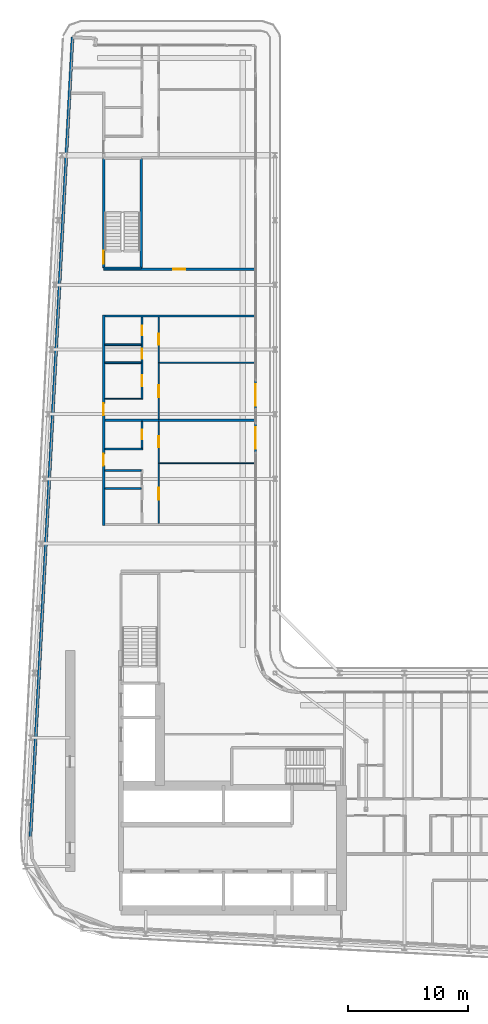
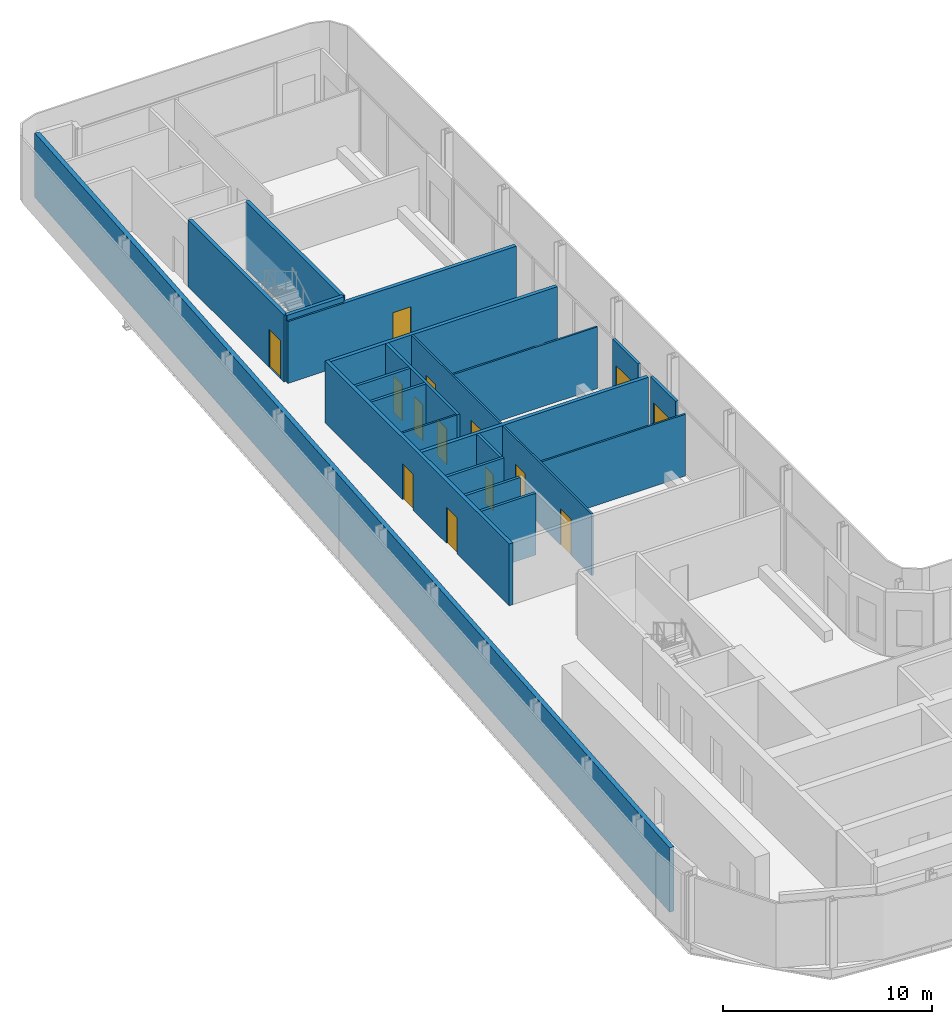
# One storey, part 20 of 30: 22 walls, 14 doors, 14 openings.
"""IFC4 building model written with IfcOpenShell, lengths in metres."""

from ifc_helpers import new_model, si_unit, direction, frame, frame_2d, origin, place, context, subcontext, project, spatial, rectangle, extrude, source, transform, mapped, material, layer, layer_set, type_object, element, fill, save


model = new_model("IFC4")

# Units and contexts
model_context = context("Model", 3, precision=1e-05, world=origin(), true_north=direction((0.0, 1.0)))
body_context = subcontext(model_context, "Body", "Model", "MODEL_VIEW")
ifc_project = project(units=[si_unit("LENGTHUNIT", "METRE"), si_unit("AREAUNIT", "SQUARE_METRE"), si_unit("VOLUMEUNIT", "CUBIC_METRE"), si_unit("PLANEANGLEUNIT", "RADIAN"), si_unit("MASSUNIT", "GRAM", prefix="KILO")], contexts=[model_context])

# Site, building, storey
site_placement = place(None, origin())
site = spatial("IfcSite", under=ifc_project, at=site_placement, CompositionType="ELEMENT")
building_placement = place(site_placement, origin())
building = spatial("IfcBuilding", under=site, at=building_placement, Name="Kheshtan School and Residences Tower", CompositionType="ELEMENT")
storey_placement = place(building_placement, frame((0.0, 0.0, 195.5)))
storey = spatial("IfcBuildingStorey", under=building, at=storey_placement, Name="L46", CompositionType="ELEMENT", Elevation=195.5)

# Wall, openings, doors
ifc_material_1 = material(Name="Gypsum board on steel studs with fire boards", Category="steel")
ifc_layer_1 = layer(ifc_material_1, 0.199951171875)
ifc_layer_set_1 = layer_set([ifc_layer_1], Name="Corridor wall 200")
wall_type_1 = type_object("IfcWallType", Name="Corridor wall 200", PredefinedType="PARTITIONING", material=ifc_layer_set_1)
wall_1_placement = place(storey_placement, frame((33.300048828125, 57.89990234375, 0.0), z_axis=(0.0, 0.0, 1.0), x_axis=(0.0, 1.0, 0.0)))
wall_1 = element("IfcWall", 1, at=wall_1_placement, inside=storey, type_object=wall_type_1, Name="Partition L46-003", PredefinedType="PARTITIONING", context=body_context, shape_type="SweptSolid", body=[
    extrude(rectangle(XDim=17.60009765625, YDim=0.199951171875, at=frame_2d((8.800048828125, 0.0))), origin(), (0.0, 0.0, 1.0), 3.60009765625),
])
opening_1_placement = place(wall_1_placement, frame((5.0, 0.0, 0.0)))
opening_1 = element("IfcOpeningElement", 2, at=opening_1_placement, cuts=wall_1, Name="Opening D46-038", PredefinedType="OPENING", context=body_context, shape_type="SweptSolid", body=[
    extrude(rectangle(XDim=1.0, YDim=2.10009765625, at=frame_2d((0.5, 1.050048828125))), frame((0.0, 0.10986328125, 0.0), z_axis=(0.0, -1.0, 0.0), x_axis=(1.0, 0.0, 0.0)), (0.0, 0.0, 1.0), 0.219970703125),
])
opening_2_placement = place(wall_1_placement, frame((9.199951171875, 0.0, 0.0)))
opening_2 = element("IfcOpeningElement", 3, at=opening_2_placement, cuts=wall_1, Name="Opening D46-044", PredefinedType="OPENING", context=body_context, shape_type="SweptSolid", body=[
    extrude(rectangle(XDim=1.0, YDim=2.10009765625, at=frame_2d((0.5, 1.050048828125))), frame((0.0, 0.10986328125, 0.0), z_axis=(0.0, -1.0, 0.0), x_axis=(1.0, 0.0, 0.0)), (0.0, 0.0, 1.0), 0.219970703125),
])
ifc_material_2 = material(Name="Steel-framed fire-resisting door leaf", Category="steel")
door_type_1 = type_object("IfcDoorType", Name="Fire door FD30S 1000 x 2100", OperationType="SINGLE_SWING_LEFT", PredefinedType="DOOR", material=ifc_material_2)
shared_shape_1 = source(origin(), body_context, "Body", "SweptSolid", [
    extrude(rectangle(XDim=1.0, YDim=2.10009765625, at=frame_2d((0.5, 1.050048828125))), frame((0.0, 0.02490234375, 0.0), z_axis=(0.0, -1.0, 0.0), x_axis=(1.0, 0.0, 0.0)), (0.0, 0.0, 1.0), 0.050048828125),
])
door_1_placement = place(opening_1_placement, origin())
door_1 = element("IfcDoor", 4, at=door_1_placement, inside=storey, type_object=door_type_1, Name="Door D46-038", OperationType="SINGLE_SWING_LEFT", OverallHeight=2.10009765625, OverallWidth=1.0, PredefinedType="DOOR", context=body_context, shape_type="MappedRepresentation", body=[
    mapped(shared_shape_1, transform((0.0, 0.0, 0.0), x_axis=(1.0, 0.0, 0.0), y_axis=(0.0, 1.0, 0.0), z_axis=(0.0, 0.0, 1.0), scale=1.0)),
])
fill(opening_1, door_1)
door_2_placement = place(opening_2_placement, origin())
door_2 = element("IfcDoor", 5, at=door_2_placement, inside=storey, type_object=door_type_1, Name="Door D46-044", OperationType="SINGLE_SWING_RIGHT", OverallHeight=2.10009765625, OverallWidth=1.0, PredefinedType="DOOR", context=body_context, shape_type="MappedRepresentation", body=[
    mapped(shared_shape_1, transform((0.0, 0.0, 0.0), x_axis=(1.0, 0.0, 0.0), y_axis=(0.0, 1.0, 0.0), z_axis=(0.0, 0.0, 1.0), scale=1.0)),
])
fill(opening_2, door_2)

# Wall, opening, door
wall_2_placement = place(storey_placement, frame((33.300048828125, 79.300048828125, 0.0), z_axis=(0.0, 0.0, 1.0), x_axis=(1.0, 0.0, 0.0)))
wall_2 = element("IfcWall", 6, at=wall_2_placement, inside=storey, type_object=wall_type_1, Name="Partition L46-004", PredefinedType="PARTITIONING", context=body_context, shape_type="SweptSolid", body=[
    extrude(rectangle(XDim=12.599853515625, YDim=0.199951171875, at=frame_2d((6.2998046875, 0.0))), origin(), (0.0, 0.0, 1.0), 3.60009765625),
])
opening_3_placement = place(wall_2_placement, frame((5.794921875, 0.0, 0.0)))
opening_3 = element("IfcOpeningElement", 7, at=opening_3_placement, cuts=wall_2, Name="Opening D46-057", PredefinedType="OPENING", context=body_context, shape_type="SweptSolid", body=[
    extrude(rectangle(XDim=1.0, YDim=2.10009765625, at=frame_2d((0.5, 1.050048828125))), frame((0.0, 0.10986328125, 0.0), z_axis=(0.0, -1.0, 0.0), x_axis=(1.0, 0.0, 0.0)), (0.0, 0.0, 1.0), 0.219970703125),
])
door_type_2 = type_object("IfcDoorType", Name="Fire door FD60 1000 x 2100", OperationType="SINGLE_SWING_LEFT", PredefinedType="DOOR", material=ifc_material_2)
shared_shape_2 = source(origin(), body_context, "Body", "SweptSolid", [
    extrude(rectangle(XDim=1.0, YDim=2.10009765625, at=frame_2d((0.5, 1.050048828125))), frame((0.0, 0.02490234375, 0.0), z_axis=(0.0, -1.0, 0.0), x_axis=(1.0, 0.0, 0.0)), (0.0, 0.0, 1.0), 0.050048828125),
])
door_3_placement = place(opening_3_placement, origin())
door_3 = element("IfcDoor", 8, at=door_3_placement, inside=storey, type_object=door_type_2, Name="Door D46-057", OperationType="SINGLE_SWING_RIGHT", OverallHeight=2.10009765625, OverallWidth=1.0, PredefinedType="DOOR", context=body_context, shape_type="MappedRepresentation", body=[
    mapped(shared_shape_2, transform((0.0, 0.0, 0.0), x_axis=(1.0, 0.0, 0.0), y_axis=(0.0, 1.0, 0.0), z_axis=(0.0, 0.0, 1.0), scale=1.0)),
])
fill(opening_3, door_3)

# Walls
wall_3_placement = place(storey_placement, frame((33.39990234375, 75.39990234375, 0.0), z_axis=(0.0, 0.0, 1.0), x_axis=(1.0, 0.0, 0.0)))
element("IfcWall", 9, at=wall_3_placement, inside=storey, type_object=wall_type_1, Name="Partition L46-014", PredefinedType="PARTITIONING", context=body_context, shape_type="SweptSolid", body=[
    extrude(rectangle(XDim=12.5, YDim=0.199951171875, at=frame_2d((6.25, 0.0))), origin(), (0.0, 0.0, 1.0), 3.60009765625),
])
ifc_material_3 = material(Name="Concrete C40/50 with ceramic cladding and mineral wool insulation", Category="concrete")
ifc_layer_2 = layer(ifc_material_3, 0.25)
ifc_layer_set_2 = layer_set([ifc_layer_2], Name="External wall 250 ceramic clad")
wall_type_2 = type_object("IfcWallType", Name="External wall 250 ceramic clad", PredefinedType="SOLIDWALL", material=ifc_layer_set_2)
wall_4_placement = place(storey_placement, frame((27.195068359375, 31.968994140625, 0.0), z_axis=(0.0, 0.0, 1.0), x_axis=(0.052554995867, 0.998618031286, 0.0)))
element("IfcWall", 10, at=wall_4_placement, inside=storey, type_object=wall_type_2, Name="External wall L46 4", PredefinedType="SOLIDWALL", context=body_context, shape_type="SweptSolid", body=[
    extrude(rectangle(XDim=66.787353515625, YDim=0.25, at=frame_2d((33.3935546875, 0.0))), origin(), (0.0, 0.0, 1.0), 3.75),
])

# Wall, opening, door
ifc_material_4 = material(Name="Aluminium frame wall with insulated infill", Category="aluminium")
ifc_layer_3 = layer(ifc_material_4, 0.14990234375)
ifc_layer_set_3 = layer_set([ifc_layer_3], Name="Glazing frame wall 150")
wall_type_3 = type_object("IfcWallType", Name="Glazing frame wall 150", PredefinedType="SOLIDWALL", material=ifc_layer_set_3)
wall_5_placement = place(storey_placement, frame((45.97509765625, 70.01806640625, 0.0), z_axis=(0.0, 0.0, 1.0), x_axis=(0.0, -1.0, 0.0)))
wall_5 = element("IfcWall", 11, at=wall_5_placement, inside=storey, type_object=wall_type_3, Name="Balcony door wall L46 8.3", PredefinedType="SOLIDWALL", context=body_context, shape_type="SweptSolid", body=[
    extrude(rectangle(XDim=2.400146484375, YDim=0.14990234375, at=frame_2d((1.2001953125, 0.0))), origin(), (0.0, 0.0, 1.0), 3.75),
])
opening_4_placement = place(wall_5_placement, frame((0.300048828125, 0.0, 0.0)))
opening_4 = element("IfcOpeningElement", 12, at=opening_4_placement, cuts=wall_5, Name="Opening BD", PredefinedType="OPENING", context=body_context, shape_type="SweptSolid", body=[
    extrude(rectangle(XDim=1.800048828125, YDim=2.39990234375, at=frame_2d((0.89990234375, 1.199951171875))), frame((0.0, 0.0849609375, 0.0), z_axis=(0.0, -1.0, 0.0), x_axis=(1.0, 0.0, 0.0)), (0.0, 0.0, 1.0), 0.169921875),
])
ifc_material_5 = material(Name="Clear low-e glass in thermally broken aluminium frame", Category="aluminium")
door_type_3 = type_object("IfcDoorType", Name="Balcony sliding door", OperationType="SLIDING_TO_LEFT", PredefinedType="DOOR", material=ifc_material_5)
shared_shape_3 = source(origin(), body_context, "Body", "SweptSolid", [
    extrude(rectangle(XDim=1.800048828125, YDim=2.39990234375, at=frame_2d((0.89990234375, 1.199951171875))), frame((0.0, 0.02490234375, 0.0), z_axis=(0.0, -1.0, 0.0), x_axis=(1.0, 0.0, 0.0)), (0.0, 0.0, 1.0), 0.050048828125),
])
door_4_placement = place(opening_4_placement, origin())
door_4 = element("IfcDoor", 13, at=door_4_placement, inside=storey, type_object=door_type_3, Name="Balcony door L46 8.3", OperationType="SLIDING_TO_LEFT", OverallHeight=2.39990234375, OverallWidth=1.800048828125, PredefinedType="DOOR", context=body_context, shape_type="MappedRepresentation", body=[
    mapped(shared_shape_3, transform((0.0, 0.0, 0.0), x_axis=(1.0, 0.0, 0.0), y_axis=(0.0, 1.0, 0.0), z_axis=(0.0, 0.0, 1.0), scale=1.0)),
])
fill(opening_4, door_4)

wall_6_placement = place(storey_placement, frame((45.97509765625, 66.41796875, 0.0), z_axis=(0.0, 0.0, 1.0), x_axis=(0.0, -1.0, 0.0)))
wall_6 = element("IfcWall", 14, at=wall_6_placement, inside=storey, type_object=wall_type_3, Name="Balcony door wall L46 8.4", PredefinedType="SOLIDWALL", context=body_context, shape_type="SweptSolid", body=[
    extrude(rectangle(XDim=2.39990234375, YDim=0.14990234375, at=frame_2d((1.199951171875, 0.0))), origin(), (0.0, 0.0, 1.0), 3.75),
])
opening_5_placement = place(wall_6_placement, frame((0.300048828125, 0.0, 0.0)))
opening_5 = element("IfcOpeningElement", 15, at=opening_5_placement, cuts=wall_6, Name="Opening BD", PredefinedType="OPENING", context=body_context, shape_type="SweptSolid", body=[
    extrude(rectangle(XDim=1.800048828125, YDim=2.39990234375, at=frame_2d((0.89990234375, 1.199951171875))), frame((0.0, 0.0849609375, 0.0), z_axis=(0.0, -1.0, 0.0), x_axis=(1.0, 0.0, 0.0)), (0.0, 0.0, 1.0), 0.169921875),
])
door_5_placement = place(opening_5_placement, origin())
door_5 = element("IfcDoor", 16, at=door_5_placement, inside=storey, type_object=door_type_3, Name="Balcony door L46 8.4", OperationType="SLIDING_TO_LEFT", OverallHeight=2.39990234375, OverallWidth=1.800048828125, PredefinedType="DOOR", context=body_context, shape_type="MappedRepresentation", body=[
    mapped(shared_shape_3, transform((0.0, 0.0, 0.0), x_axis=(1.0, 0.0, 0.0), y_axis=(0.0, 1.0, 0.0), z_axis=(0.0, 0.0, 1.0), scale=1.0)),
])
fill(opening_5, door_5)

# Wall
ifc_material_6 = material(Name="Gypsum board on steel studs", Category="steel")
ifc_layer_4 = layer(ifc_material_6, 0.10009765625)
ifc_layer_set_4 = layer_set([ifc_layer_4], Name="Gypsum partition 100")
wall_type_4 = type_object("IfcWallType", Name="Gypsum partition 100", PredefinedType="PARTITIONING", material=ifc_layer_set_4)
wall_7_placement = place(storey_placement, frame((33.39990234375, 68.5, 0.0), z_axis=(0.0, 0.0, 1.0), x_axis=(1.0, 0.0, 0.0)))
element("IfcWall", 17, at=wall_7_placement, inside=storey, type_object=wall_type_4, Name="Partition L46-011", PredefinedType="PARTITIONING", context=body_context, shape_type="SweptSolid", body=[
    extrude(rectangle(XDim=3.025146484375, YDim=0.10009765625, at=frame_2d((1.5126953125, 0.0))), origin(), (0.0, 0.0, 1.0), 3.60009765625),
])

# Wall, openings, doors
wall_8_placement = place(storey_placement, frame((37.89990234375, 58.10009765625, 0.0), z_axis=(0.0, 0.0, 1.0), x_axis=(0.0, 1.0, 0.0)))
wall_8 = element("IfcWall", 18, at=wall_8_placement, inside=storey, type_object=wall_type_4, Name="Partition L46-023", PredefinedType="PARTITIONING", context=body_context, shape_type="SweptSolid", body=[
    extrude(rectangle(XDim=8.5, YDim=0.10009765625, at=frame_2d((4.25, 0.0))), origin(), (0.0, 0.0, 1.0), 3.60009765625),
])
opening_6_placement = place(wall_8_placement, frame((6.35009765625, 0.0, 0.0)))
opening_6 = element("IfcOpeningElement", 19, at=opening_6_placement, cuts=wall_8, Name="Opening D46-037", PredefinedType="OPENING", context=body_context, shape_type="SweptSolid", body=[
    extrude(rectangle(XDim=0.89990234375, YDim=2.10009765625, at=frame_2d((0.449951171875, 1.050048828125))), frame((0.0, 0.06005859375, 0.0), z_axis=(0.0, -1.0, 0.0), x_axis=(1.0, 0.0, 0.0)), (0.0, 0.0, 1.0), 0.1201171875),
])
opening_7_placement = place(wall_8_placement, frame((1.949951171875, 0.0, 0.0)))
opening_7 = element("IfcOpeningElement", 20, at=opening_7_placement, cuts=wall_8, Name="Opening D46-040", PredefinedType="OPENING", context=body_context, shape_type="SweptSolid", body=[
    extrude(rectangle(XDim=1.0, YDim=2.10009765625, at=frame_2d((0.5, 1.050048828125))), frame((0.0, 0.06005859375, 0.0), z_axis=(0.0, -1.0, 0.0), x_axis=(1.0, 0.0, 0.0)), (0.0, 0.0, 1.0), 0.1201171875),
])
ifc_material_7 = material(Name="Veneered timber door leaf", Category="wood")
door_type_4 = type_object("IfcDoorType", Name="Door 1000 x 2100", OperationType="SINGLE_SWING_LEFT", PredefinedType="DOOR", material=ifc_material_7)
shared_shape_4 = source(origin(), body_context, "Body", "SweptSolid", [
    extrude(rectangle(XDim=1.0, YDim=2.10009765625, at=frame_2d((0.5, 1.050048828125))), frame((0.0, 0.02490234375, 0.0), z_axis=(0.0, -1.0, 0.0), x_axis=(1.0, 0.0, 0.0)), (0.0, 0.0, 1.0), 0.050048828125),
])
door_6_placement = place(opening_7_placement, origin())
door_6 = element("IfcDoor", 21, at=door_6_placement, inside=storey, type_object=door_type_4, Name="Door D46-040", OperationType="SINGLE_SWING_RIGHT", OverallHeight=2.10009765625, OverallWidth=1.0, PredefinedType="DOOR", context=body_context, shape_type="MappedRepresentation", body=[
    mapped(shared_shape_4, transform((0.0, 0.0, 0.0), x_axis=(1.0, 0.0, 0.0), y_axis=(0.0, 1.0, 0.0), z_axis=(0.0, 0.0, 1.0), scale=1.0)),
])
fill(opening_7, door_6)
door_type_5 = type_object("IfcDoorType", Name="Door 900 x 2100", OperationType="SINGLE_SWING_LEFT", PredefinedType="DOOR", material=ifc_material_7)
shared_shape_5 = source(origin(), body_context, "Body", "SweptSolid", [
    extrude(rectangle(XDim=0.89990234375, YDim=2.10009765625, at=frame_2d((0.449951171875, 1.050048828125))), frame((0.0, 0.02490234375, 0.0), z_axis=(0.0, -1.0, 0.0), x_axis=(1.0, 0.0, 0.0)), (0.0, 0.0, 1.0), 0.050048828125),
])
door_7_placement = place(opening_6_placement, origin())
door_7 = element("IfcDoor", 22, at=door_7_placement, inside=storey, type_object=door_type_5, Name="Door D46-037", OperationType="SINGLE_SWING_RIGHT", OverallHeight=2.10009765625, OverallWidth=0.89990234375, PredefinedType="DOOR", context=body_context, shape_type="MappedRepresentation", body=[
    mapped(shared_shape_5, transform((0.0, 0.0, 0.0), x_axis=(1.0, 0.0, 0.0), y_axis=(0.0, 1.0, 0.0), z_axis=(0.0, 0.0, 1.0), scale=1.0)),
])
fill(opening_6, door_7)

wall_9_placement = place(storey_placement, frame((37.89990234375, 66.800048828125, 0.0), z_axis=(0.0, 0.0, 1.0), x_axis=(0.0, 1.0, 0.0)))
wall_9 = element("IfcWall", 23, at=wall_9_placement, inside=storey, type_object=wall_type_4, Name="Partition L46-024", PredefinedType="PARTITIONING", context=body_context, shape_type="SweptSolid", body=[
    extrude(rectangle(XDim=8.5, YDim=0.10009765625, at=frame_2d((4.25, 0.0))), origin(), (0.0, 0.0, 1.0), 3.60009765625),
])
opening_8_placement = place(wall_9_placement, frame((6.199951171875, 0.0, 0.0)))
opening_8 = element("IfcOpeningElement", 24, at=opening_8_placement, cuts=wall_9, Name="Opening D46-043", PredefinedType="OPENING", context=body_context, shape_type="SweptSolid", body=[
    extrude(rectangle(XDim=0.89990234375, YDim=2.10009765625, at=frame_2d((0.449951171875, 1.050048828125))), frame((0.0, 0.06005859375, 0.0), z_axis=(0.0, -1.0, 0.0), x_axis=(1.0, 0.0, 0.0)), (0.0, 0.0, 1.0), 0.1201171875),
])
opening_9_placement = place(wall_9_placement, frame((1.800048828125, 0.0, 0.0)))
opening_9 = element("IfcOpeningElement", 25, at=opening_9_placement, cuts=wall_9, Name="Opening D46-046", PredefinedType="OPENING", context=body_context, shape_type="SweptSolid", body=[
    extrude(rectangle(XDim=1.0, YDim=2.10009765625, at=frame_2d((0.5, 1.050048828125))), frame((0.0, 0.06005859375, 0.0), z_axis=(0.0, -1.0, 0.0), x_axis=(1.0, 0.0, 0.0)), (0.0, 0.0, 1.0), 0.1201171875),
])
door_8_placement = place(opening_9_placement, origin())
door_8 = element("IfcDoor", 26, at=door_8_placement, inside=storey, type_object=door_type_4, Name="Door D46-046", OperationType="SINGLE_SWING_RIGHT", OverallHeight=2.10009765625, OverallWidth=1.0, PredefinedType="DOOR", context=body_context, shape_type="MappedRepresentation", body=[
    mapped(shared_shape_4, transform((0.0, 0.0, 0.0), x_axis=(1.0, 0.0, 0.0), y_axis=(0.0, 1.0, 0.0), z_axis=(0.0, 0.0, 1.0), scale=1.0)),
])
fill(opening_9, door_8)
door_9_placement = place(opening_8_placement, origin())
door_9 = element("IfcDoor", 27, at=door_9_placement, inside=storey, type_object=door_type_5, Name="Door D46-043", OperationType="SINGLE_SWING_RIGHT", OverallHeight=2.10009765625, OverallWidth=0.89990234375, PredefinedType="DOOR", context=body_context, shape_type="MappedRepresentation", body=[
    mapped(shared_shape_5, transform((0.0, 0.0, 0.0), x_axis=(1.0, 0.0, 0.0), y_axis=(0.0, 1.0, 0.0), z_axis=(0.0, 0.0, 1.0), scale=1.0)),
])
fill(opening_8, door_9)

# Walls
for number, where, z_axis, x_axis, name in (
    (28, (37.949951171875, 63.10009765625, 0.0), (0.0, 0.0, 1.0), (1.0, 0.0, 0.0), "Partition L46-026"),
    (29, (37.949951171875, 71.5, 0.0), (0.0, 0.0, 1.0), (1.0, 0.0, 0.0), "Partition L46-027"),
):
    element("IfcWall", number, at=place(storey_placement, frame(where, z_axis=z_axis, x_axis=x_axis)), inside=storey, type_object=wall_type_4, Name=name, PredefinedType="PARTITIONING", context=body_context, shape_type="SweptSolid", body=[
        extrude(rectangle(XDim=7.949951171875, YDim=0.10009765625, at=frame_2d((3.97509765625, 0.0))), origin(), (0.0, 0.0, 1.0), 3.60009765625),
    ])
ifc_material_8 = material(Name="Concrete C40/50", Category="concrete")
ifc_layer_5 = layer(ifc_material_8, 0.199951171875)
ifc_layer_set_5 = layer_set([ifc_layer_5], Name="Stair enclosure wall 200 Concrete C40/50")
wall_type_5 = type_object("IfcWallType", Name="Stair enclosure wall 200 Concrete C40/50", PredefinedType="SHEAR", material=ifc_layer_set_5)
wall_10_placement = place(storey_placement, frame((33.300048828125, 79.39990234375, 0.0), z_axis=(0.0, 0.0, 1.0), x_axis=(1.0, 0.0, 0.0)))
element("IfcWall", 30, at=wall_10_placement, inside=storey, type_object=wall_type_5, Name="Stair enclosure wall ST3", PredefinedType="SHEAR", context=body_context, shape_type="SweptSolid", body=[
    extrude(rectangle(XDim=3.14990234375, YDim=0.199951171875, at=frame_2d((1.574951171875, 0.0))), origin(), (0.0, 0.0, 1.0), 3.89990234375),
])

# Wall, opening, door
wall_11_placement = place(storey_placement, frame((33.300048828125, 79.39990234375, 0.0), z_axis=(0.0, 0.0, 1.0), x_axis=(0.0, 1.0, 0.0)))
wall_11 = element("IfcWall", 31, at=wall_11_placement, inside=storey, type_object=wall_type_5, Name="Stair enclosure wall ST3", PredefinedType="SHEAR", context=body_context, shape_type="SweptSolid", body=[
    extrude(rectangle(XDim=9.16015625, YDim=0.199951171875, at=frame_2d((4.580078125, 0.0))), origin(), (0.0, 0.0, 1.0), 3.89990234375),
])
opening_10_placement = place(wall_11_placement, frame((0.35009765625, 0.0, 0.0)))
opening_10 = element("IfcOpeningElement", 32, at=opening_10_placement, cuts=wall_11, Name="Opening ST3D", PredefinedType="OPENING", context=body_context, shape_type="SweptSolid", body=[
    extrude(rectangle(XDim=1.10009765625, YDim=2.199951171875, at=frame_2d((0.550048828125, 1.10009765625))), frame((0.0, 0.10986328125, 0.0), z_axis=(0.0, -1.0, 0.0), x_axis=(1.0, 0.0, 0.0)), (0.0, 0.0, 1.0), 0.219970703125),
])
ifc_material_9 = material(Name="Steel door leaf, galvanised", Category="steel")
door_type_6 = type_object("IfcDoorType", Name="Stair door 1100 steel 90 min", OperationType="SINGLE_SWING_LEFT", PredefinedType="DOOR", material=ifc_material_9)
shared_shape_6 = source(origin(), body_context, "Body", "SweptSolid", [
    extrude(rectangle(XDim=1.10009765625, YDim=2.199951171875, at=frame_2d((0.550048828125, 1.10009765625))), frame((0.0, 0.02490234375, 0.0), z_axis=(0.0, -1.0, 0.0), x_axis=(1.0, 0.0, 0.0)), (0.0, 0.0, 1.0), 0.050048828125),
])
door_10_placement = place(opening_10_placement, origin())
door_10 = element("IfcDoor", 33, at=door_10_placement, inside=storey, type_object=door_type_6, Name="Stair ST3 door", OperationType="SINGLE_SWING_RIGHT", OverallHeight=2.199951171875, OverallWidth=1.10009765625, PredefinedType="DOOR", context=body_context, shape_type="MappedRepresentation", body=[
    mapped(shared_shape_6, transform((0.0, 0.0, 0.0), x_axis=(1.0, 0.0, 0.0), y_axis=(0.0, 1.0, 0.0), z_axis=(0.0, 0.0, 1.0), scale=1.0)),
])
fill(opening_10, door_10)

# Walls
wall_12_placement = place(storey_placement, frame((36.449951171875, 79.39990234375, 0.0), z_axis=(0.0, 0.0, 1.0), x_axis=(0.0, 1.0, 0.0)))
element("IfcWall", 34, at=wall_12_placement, inside=storey, type_object=wall_type_5, Name="Stair enclosure wall ST3", PredefinedType="SHEAR", context=body_context, shape_type="SweptSolid", body=[
    extrude(rectangle(XDim=9.16015625, YDim=0.199951171875, at=frame_2d((4.580078125, 0.0))), origin(), (0.0, 0.0, 1.0), 3.89990234375),
])
ifc_material_10 = material(Name="Twin gypsum board on steel studs with mineral wool", Category="steel")
ifc_layer_6 = layer(ifc_material_10, 0.199951171875)
ifc_layer_set_6 = layer_set([ifc_layer_6], Name="Unit demising wall 200")
wall_type_6 = type_object("IfcWallType", Name="Unit demising wall 200", PredefinedType="PARTITIONING", material=ifc_layer_set_6)
wall_13_placement = place(storey_placement, frame((33.39990234375, 66.699951171875, 0.0), z_axis=(0.0, 0.0, 1.0), x_axis=(1.0, 0.0, 0.0)))
element("IfcWall", 35, at=wall_13_placement, inside=storey, type_object=wall_type_6, Name="Partition L46-010", PredefinedType="PARTITIONING", context=body_context, shape_type="SweptSolid", body=[
    extrude(rectangle(XDim=12.5, YDim=0.199951171875, at=frame_2d((6.25, 0.0))), origin(), (0.0, 0.0, 1.0), 3.60009765625),
])
ifc_material_11 = material(Name="Moisture-resistant gypsum board on steel studs", Category="steel")
ifc_layer_7 = layer(ifc_material_11, 0.14990234375)
ifc_layer_set_7 = layer_set([ifc_layer_7], Name="Wet-room partition 150")
wall_type_7 = type_object("IfcWallType", Name="Wet-room partition 150", PredefinedType="PARTITIONING", material=ifc_layer_set_7)
for number, where, z_axis, x_axis, name in (
    (36, (33.39990234375, 61.0, 0.0), (0.0, 0.0, 1.0), (1.0, 0.0, 0.0), "Partition L46-007"),
    (37, (33.39990234375, 62.5, 0.0), (0.0, 0.0, 1.0), (1.0, 0.0, 0.0), "Partition L46-008"),
):
    element("IfcWall", number, at=place(storey_placement, frame(where, z_axis=z_axis, x_axis=x_axis)), inside=storey, type_object=wall_type_7, Name=name, PredefinedType="PARTITIONING", context=body_context, shape_type="SweptSolid", body=[
        extrude(rectangle(XDim=3.025146484375, YDim=0.14990234375, at=frame_2d((1.5126953125, 0.0))), origin(), (0.0, 0.0, 1.0), 3.60009765625),
    ])
wall_14_placement = place(storey_placement, frame((33.39990234375, 64.300048828125, 0.0), z_axis=(0.0, 0.0, 1.0), x_axis=(1.0, 0.0, 0.0)))
element("IfcWall", 38, at=wall_14_placement, inside=storey, type_object=wall_type_7, Name="Partition L46-009", PredefinedType="PARTITIONING", context=body_context, shape_type="SweptSolid", body=[
    extrude(rectangle(XDim=3.175048828125, YDim=0.14990234375, at=frame_2d((1.58740234375, 0.0))), origin(), (0.0, 0.0, 1.0), 3.60009765625),
])
for number, where, z_axis, x_axis, name in (
    (39, (33.39990234375, 71.5, 0.0), (0.0, 0.0, 1.0), (1.0, 0.0, 0.0), "Partition L46-012"),
    (40, (33.39990234375, 73.0, 0.0), (0.0, 0.0, 1.0), (1.0, 0.0, 0.0), "Partition L46-013"),
):
    element("IfcWall", number, at=place(storey_placement, frame(where, z_axis=z_axis, x_axis=x_axis)), inside=storey, type_object=wall_type_7, Name=name, PredefinedType="PARTITIONING", context=body_context, shape_type="SweptSolid", body=[
        extrude(rectangle(XDim=3.025146484375, YDim=0.14990234375, at=frame_2d((1.5126953125, 0.0))), origin(), (0.0, 0.0, 1.0), 3.60009765625),
    ])

# Wall, opening, door
wall_15_placement = place(storey_placement, frame((36.5, 64.375, 0.0), z_axis=(0.0, 0.0, 1.0), x_axis=(0.0, 1.0, 0.0)))
wall_15 = element("IfcWall", 41, at=wall_15_placement, inside=storey, type_object=wall_type_7, Name="Partition L46-019", PredefinedType="PARTITIONING", context=body_context, shape_type="SweptSolid", body=[
    extrude(rectangle(XDim=2.22509765625, YDim=0.14990234375, at=frame_2d((1.112548828125, 0.0))), origin(), (0.0, 0.0, 1.0), 3.60009765625),
])
opening_11_placement = place(wall_15_placement, frame((0.72509765625, 0.0, 0.0)))
opening_11 = element("IfcOpeningElement", 42, at=opening_11_placement, cuts=wall_15, Name="Opening D46-036", PredefinedType="OPENING", context=body_context, shape_type="SweptSolid", body=[
    extrude(rectangle(XDim=0.800048828125, YDim=2.10009765625, at=frame_2d((0.39990234375, 1.050048828125))), frame((0.0, 0.0849609375, 0.0), z_axis=(0.0, -1.0, 0.0), x_axis=(1.0, 0.0, 0.0)), (0.0, 0.0, 1.0), 0.169921875),
])
door_type_7 = type_object("IfcDoorType", Name="Door 800 x 2100", OperationType="SINGLE_SWING_LEFT", PredefinedType="DOOR", material=ifc_material_7)
shared_shape_7 = source(origin(), body_context, "Body", "SweptSolid", [
    extrude(rectangle(XDim=0.800048828125, YDim=2.10009765625, at=frame_2d((0.39990234375, 1.050048828125))), frame((0.0, 0.02490234375, 0.0), z_axis=(0.0, -1.0, 0.0), x_axis=(1.0, 0.0, 0.0)), (0.0, 0.0, 1.0), 0.050048828125),
])
door_11_placement = place(opening_11_placement, origin())
door_11 = element("IfcDoor", 43, at=door_11_placement, inside=storey, type_object=door_type_7, Name="Door D46-036", OperationType="SINGLE_SWING_LEFT", OverallHeight=2.10009765625, OverallWidth=0.800048828125, PredefinedType="DOOR", context=body_context, shape_type="MappedRepresentation", body=[
    mapped(shared_shape_7, transform((0.0, 0.0, 0.0), x_axis=(1.0, 0.0, 0.0), y_axis=(0.0, 1.0, 0.0), z_axis=(0.0, 0.0, 1.0), scale=1.0)),
])
fill(opening_11, door_11)

# Wall, openings, doors
wall_16_placement = place(storey_placement, frame((36.5, 68.449951171875, 0.0), z_axis=(0.0, 0.0, 1.0), x_axis=(0.0, 1.0, 0.0)))
wall_16 = element("IfcWall", 44, at=wall_16_placement, inside=storey, type_object=wall_type_7, Name="Partition L46-020", PredefinedType="PARTITIONING", context=body_context, shape_type="SweptSolid", body=[
    extrude(rectangle(XDim=6.85009765625, YDim=0.14990234375, at=frame_2d((3.425048828125, 0.0))), origin(), (0.0, 0.0, 1.0), 3.60009765625),
])
opening_12_placement = place(wall_16_placement, frame((5.35009765625, 0.0, 0.0)))
opening_12 = element("IfcOpeningElement", 45, at=opening_12_placement, cuts=wall_16, Name="Opening D46-042", PredefinedType="OPENING", context=body_context, shape_type="SweptSolid", body=[
    extrude(rectangle(XDim=0.800048828125, YDim=2.10009765625, at=frame_2d((0.39990234375, 1.050048828125))), frame((0.0, 0.0849609375, 0.0), z_axis=(0.0, -1.0, 0.0), x_axis=(1.0, 0.0, 0.0)), (0.0, 0.0, 1.0), 0.169921875),
])
opening_13_placement = place(wall_16_placement, frame((1.10009765625, 0.0, 0.0)))
opening_13 = element("IfcOpeningElement", 46, at=opening_13_placement, cuts=wall_16, Name="Opening D46-045", PredefinedType="OPENING", context=body_context, shape_type="SweptSolid", body=[
    extrude(rectangle(XDim=0.89990234375, YDim=2.10009765625, at=frame_2d((0.449951171875, 1.050048828125))), frame((0.0, 0.0849609375, 0.0), z_axis=(0.0, -1.0, 0.0), x_axis=(1.0, 0.0, 0.0)), (0.0, 0.0, 1.0), 0.169921875),
])
opening_14_placement = place(wall_16_placement, frame((3.39990234375, 0.0, 0.0)))
opening_14 = element("IfcOpeningElement", 47, at=opening_14_placement, cuts=wall_16, Name="Opening D46-047", PredefinedType="OPENING", context=body_context, shape_type="SweptSolid", body=[
    extrude(rectangle(XDim=0.800048828125, YDim=2.10009765625, at=frame_2d((0.39990234375, 1.050048828125))), frame((0.0, 0.0849609375, 0.0), z_axis=(0.0, -1.0, 0.0), x_axis=(1.0, 0.0, 0.0)), (0.0, 0.0, 1.0), 0.169921875),
])
door_12_placement = place(opening_12_placement, origin())
door_12 = element("IfcDoor", 48, at=door_12_placement, inside=storey, type_object=door_type_7, Name="Door D46-042", OperationType="SINGLE_SWING_RIGHT", OverallHeight=2.10009765625, OverallWidth=0.800048828125, PredefinedType="DOOR", context=body_context, shape_type="MappedRepresentation", body=[
    mapped(shared_shape_7, transform((0.0, 0.0, 0.0), x_axis=(1.0, 0.0, 0.0), y_axis=(0.0, 1.0, 0.0), z_axis=(0.0, 0.0, 1.0), scale=1.0)),
])
fill(opening_12, door_12)
door_13_placement = place(opening_14_placement, origin())
door_13 = element("IfcDoor", 49, at=door_13_placement, inside=storey, type_object=door_type_7, Name="Door D46-047", OperationType="SINGLE_SWING_RIGHT", OverallHeight=2.10009765625, OverallWidth=0.800048828125, PredefinedType="DOOR", context=body_context, shape_type="MappedRepresentation", body=[
    mapped(shared_shape_7, transform((0.0, 0.0, 0.0), x_axis=(1.0, 0.0, 0.0), y_axis=(0.0, 1.0, 0.0), z_axis=(0.0, 0.0, 1.0), scale=1.0)),
])
fill(opening_14, door_13)
door_14_placement = place(opening_13_placement, origin())
door_14 = element("IfcDoor", 50, at=door_14_placement, inside=storey, type_object=door_type_5, Name="Door D46-045", OperationType="SINGLE_SWING_LEFT", OverallHeight=2.10009765625, OverallWidth=0.89990234375, PredefinedType="DOOR", context=body_context, shape_type="MappedRepresentation", body=[
    mapped(shared_shape_5, transform((0.0, 0.0, 0.0), x_axis=(1.0, 0.0, 0.0), y_axis=(0.0, 1.0, 0.0), z_axis=(0.0, 0.0, 1.0), scale=1.0)),
])
fill(opening_13, door_14)

save(model, "model.ifc")
